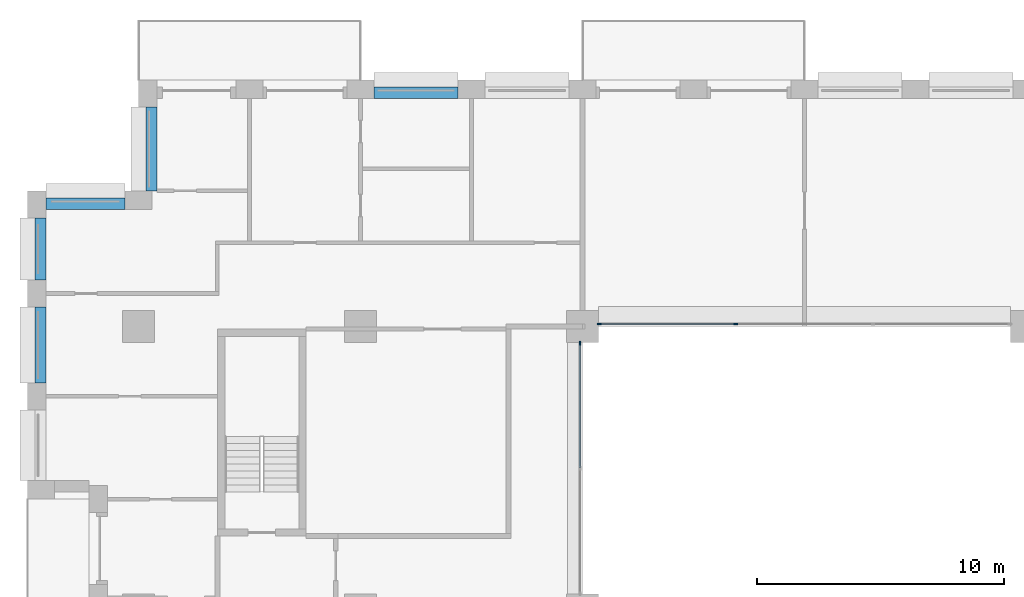
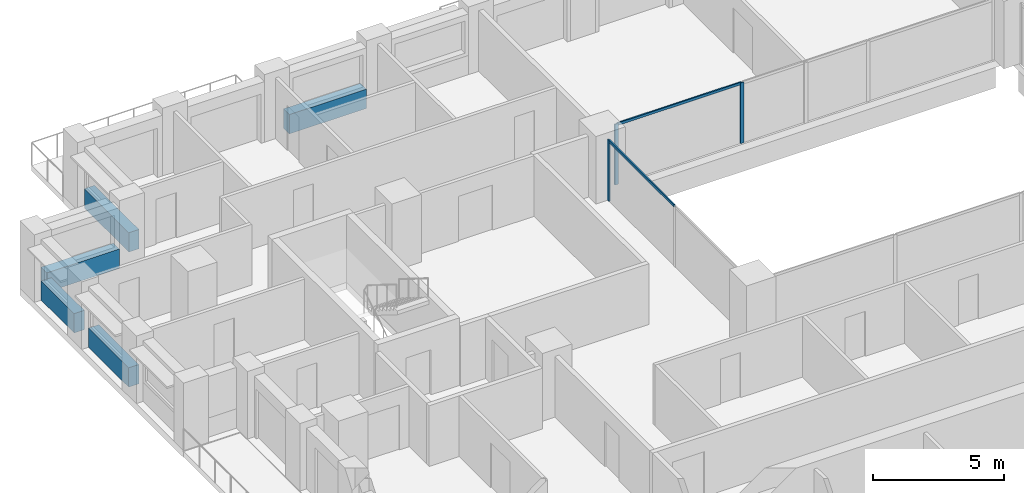
# One storey, part 5 of 16: 5 beams, 5 members, 2 elements without a shape of their own.
"""IFC4 building model written with IfcOpenShell, lengths in metres."""

from ifc_helpers import new_model, si_unit, direction, frame, origin, origin_2d, place, context, subcontext, project, spatial, rectangle, extrude, material, layer, layer_set, material_profile, profile_set, type_object, element, aggregate, save


model = new_model("IFC4")

# Units and contexts
model_context = context("Model", 3, precision=1e-05, world=origin(), true_north=direction((0.0, 1.0)))
body_context = subcontext(model_context, "Body", "Model", "MODEL_VIEW")
ifc_project = project(units=[si_unit("LENGTHUNIT", "METRE"), si_unit("AREAUNIT", "SQUARE_METRE"), si_unit("VOLUMEUNIT", "CUBIC_METRE"), si_unit("PLANEANGLEUNIT", "RADIAN"), si_unit("MASSUNIT", "GRAM", prefix="KILO")], contexts=[model_context])

# Site, building, storey
site_placement = place(None, origin())
site = spatial("IfcSite", under=ifc_project, at=site_placement, CompositionType="ELEMENT")
building_placement = place(site_placement, origin())
building = spatial("IfcBuilding", under=site, at=building_placement, Name="Brigalow Station Residences", CompositionType="ELEMENT")
storey_placement = place(building_placement, frame((0.0, 0.0, 83.550048828125)))
storey = spatial("IfcBuildingStorey", under=building, at=storey_placement, Name="L23", CompositionType="ELEMENT", Elevation=83.550048828125)

# Curtain wall, members
ifc_material_1 = material(Name="Aluminium", Category="aluminium")
ifc_layer = layer(ifc_material_1, 0.14990234375)
ifc_layer_set = layer_set([ifc_layer], Name="ATRIUM FIRE-RATED GLAZING CURTAIN WALL")
curtain_wall_type = type_object("IfcCurtainWallType", Name="ATRIUM FIRE-RATED GLAZING CURTAIN WALL", PredefinedType="NOTDEFINED", material=ifc_layer_set)
curtain_wall_1_placement = place(storey_placement, origin())
curtain_wall_1 = element("IfcCurtainWall", 1, at=curtain_wall_1_placement, inside=storey, type_object=curtain_wall_type, Name="L23/cw/atrium-N", PredefinedType="NOTDEFINED")
ifc_material_2 = material(Name="Aluminium", Category="aluminium")
ifc_material_profile_1 = material_profile(ifc_material_2, rectangle(XDim=0.06005859375, YDim=0.14990234375, at=origin_2d()), Name="ATRIUM FIRE-RATED GLAZING MULLION 60x150")
ifc_profile_set_1 = profile_set([ifc_material_profile_1], Name="Aluminium")
member_type_1 = type_object("IfcMemberType", Name="ATRIUM FIRE-RATED GLAZING MULLION 60x150", PredefinedType="MULLION", material=ifc_profile_set_1)
member_1_placement = place(storey_placement, frame((33.216796875, 35.60009765625, 0.0), z_axis=(0.0, 0.0, 1.0), x_axis=(0.0, -1.0, 0.0)))
member_1 = element("IfcMember", 2, at=member_1_placement, type_object=member_type_1, Name="L23/cw/atrium-N/M02", PredefinedType="MULLION", context=body_context, shape_type="SweptSolid", body=[
    extrude(rectangle(XDim=0.06005859375, YDim=0.14990234375, at=origin_2d()), origin(), (0.0, 0.0, 1.0), 2.829833984375),
])
member_2_placement = place(storey_placement, frame((27.679931640625, 35.60009765625, 0.0), z_axis=(0.0, 0.0, 1.0), x_axis=(0.0, -1.0, 0.0)))
member_2 = element("IfcMember", 3, at=member_2_placement, type_object=member_type_1, Name="L23/cw/atrium-N/M03", PredefinedType="MULLION", context=body_context, shape_type="SweptSolid", body=[
    extrude(rectangle(XDim=0.06005859375, YDim=0.14990234375, at=origin_2d()), origin(), (0.0, 0.0, 1.0), 2.829833984375),
])

# Curtain wall, member
curtain_wall_2_placement = place(storey_placement, origin())
curtain_wall_2 = element("IfcCurtainWall", 4, at=curtain_wall_2_placement, inside=storey, type_object=curtain_wall_type, Name="L23/cw/atrium-W", PredefinedType="NOTDEFINED")
member_3_placement = place(storey_placement, frame((26.89990234375, 34.820068359375, 0.0), z_axis=(0.0, 0.0, 1.0), x_axis=(1.0, 0.0, 0.0)))
member_3 = element("IfcMember", 5, at=member_3_placement, type_object=member_type_1, Name="L23/cw/atrium-W/M00", PredefinedType="MULLION", context=body_context, shape_type="SweptSolid", body=[
    extrude(rectangle(XDim=0.06005859375, YDim=0.14990234375, at=origin_2d()), origin(), (0.0, 0.0, 1.0), 2.829833984375),
])

# Member
ifc_material_3 = material(Name="Aluminium", Category="aluminium")
ifc_material_profile_2 = material_profile(ifc_material_3, rectangle(XDim=0.06005859375, YDim=0.1201171875, at=origin_2d()), Name="ATRIUM FIRE-RATED GLAZING TRANSOM 60x120")
ifc_profile_set_2 = profile_set([ifc_material_profile_2], Name="Aluminium")
member_type_2 = type_object("IfcMemberType", Name="ATRIUM FIRE-RATED GLAZING TRANSOM 60x120", PredefinedType="USERDEFINED", material=ifc_profile_set_2)
member_4_placement = place(storey_placement, frame((33.186767578125, 35.60009765625, 2.800048828125), z_axis=(-1.0, 0.0, 0.0), x_axis=(0.0, -1.0, 0.0)))
member_4 = element("IfcMember", 6, at=member_4_placement, type_object=member_type_2, Name="L23/cw/atrium-N/T02-00", ObjectType="TRANSOM", PredefinedType="USERDEFINED", context=body_context, shape_type="SweptSolid", body=[
    extrude(rectangle(XDim=0.06005859375, YDim=0.1201171875, at=origin_2d()), origin(), (0.0, 0.0, 1.0), 5.476806640625),
])

aggregate(curtain_wall_1, [member_1, member_2, member_4])

member_5_placement = place(storey_placement, frame((26.89990234375, 34.7900390625, 2.800048828125), z_axis=(0.0, -1.0, 0.0), x_axis=(1.0, 0.0, 0.0)))
member_5 = element("IfcMember", 7, at=member_5_placement, type_object=member_type_2, Name="L23/cw/atrium-W/T00-00", ObjectType="TRANSOM", PredefinedType="USERDEFINED", context=body_context, shape_type="SweptSolid", body=[
    extrude(rectangle(XDim=0.06005859375, YDim=0.1201171875, at=origin_2d()), origin(), (0.0, 0.0, 1.0), 5.010009765625),
])

aggregate(curtain_wall_2, [member_3, member_5])

# Beams
ifc_material_4 = material(Name="Concrete C65", Category="concrete")
ifc_material_profile_3 = material_profile(ifc_material_4, rectangle(XDim=0.449951171875, YDim=0.89990234375, at=origin_2d()), Name="RC450x900")
ifc_profile_set_3 = profile_set([ifc_material_profile_3], Name="Concrete C65")
beam_type = type_object("IfcBeamType", Name="SPANDREL BEAM 450x900 C65", PredefinedType="SPANDREL", material=ifc_profile_set_3)
for number, where, z_axis, x_axis, name in (
    (8, (21.949951171875, 44.97509765625, 0.449951171875), (-1.0, 0.0, 0.0), (0.0, -1.0, 0.0), "L23/spandrel/W-L23-34"),
    (9, (9.52490234375, 44.39990234375, 0.449951171875), (0.0, -1.0, 0.0), (1.0, 0.0, 0.0), "L23/spandrel/W-L23-37"),
):
    element("IfcBeam", number, at=place(storey_placement, frame(where, z_axis=z_axis, x_axis=x_axis)), inside=storey, type_object=beam_type, Name=name, PredefinedType="SPANDREL", context=body_context, shape_type="SweptSolid", body=[
        extrude(rectangle(XDim=0.449951171875, YDim=0.89990234375, at=origin_2d()), origin(), (0.0, 0.0, 1.0), 3.39990234375),
    ])
beam_1_placement = place(storey_placement, frame((8.449951171875, 40.47509765625, 0.449951171875), z_axis=(-1.0, 0.0, 0.0), x_axis=(0.0, -1.0, 0.0)))
element("IfcBeam", 10, at=beam_1_placement, inside=storey, type_object=beam_type, Name="L23/spandrel/W-L23-38", PredefinedType="SPANDREL", context=body_context, shape_type="SweptSolid", body=[
    extrude(rectangle(XDim=0.449951171875, YDim=0.89990234375, at=origin_2d()), origin(), (0.0, 0.0, 1.0), 3.199951171875),
])
beam_2_placement = place(storey_placement, frame((5.02490234375, 39.89990234375, 0.449951171875), z_axis=(0.0, -1.0, 0.0), x_axis=(1.0, 0.0, 0.0)))
element("IfcBeam", 11, at=beam_2_placement, inside=storey, type_object=beam_type, Name="L23/spandrel/W-L23-39", PredefinedType="SPANDREL", context=body_context, shape_type="SweptSolid", body=[
    extrude(rectangle(XDim=0.449951171875, YDim=0.89990234375, at=origin_2d()), origin(), (0.0, 0.0, 1.0), 2.516845703125),
])
beam_3_placement = place(storey_placement, frame((5.02490234375, 36.282958984375, 0.449951171875), z_axis=(0.0, -1.0, 0.0), x_axis=(1.0, 0.0, 0.0)))
element("IfcBeam", 12, at=beam_3_placement, inside=storey, type_object=beam_type, Name="L23/spandrel/W-L23-40", PredefinedType="SPANDREL", context=body_context, shape_type="SweptSolid", body=[
    extrude(rectangle(XDim=0.449951171875, YDim=0.89990234375, at=origin_2d()), origin(), (0.0, 0.0, 1.0), 3.06591796875),
])

save(model, "model.ifc")
